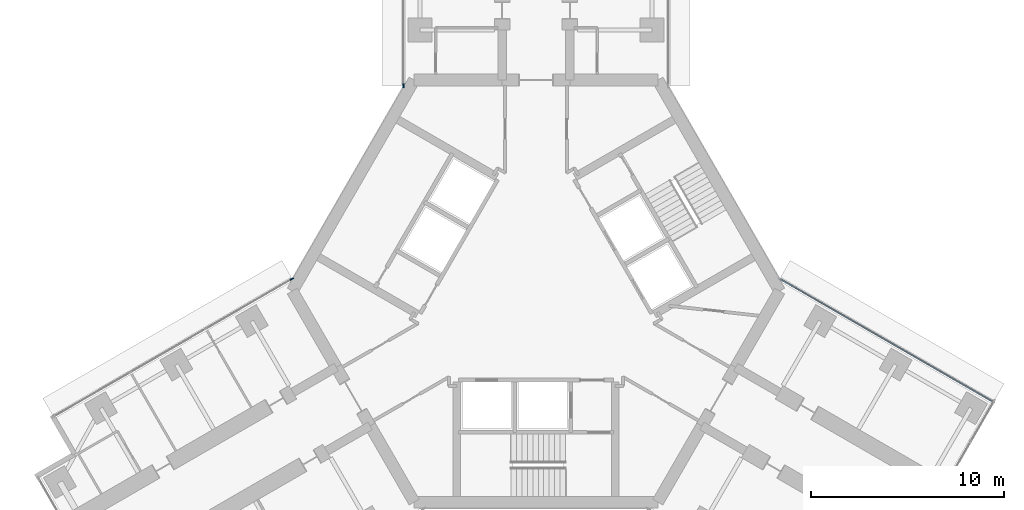
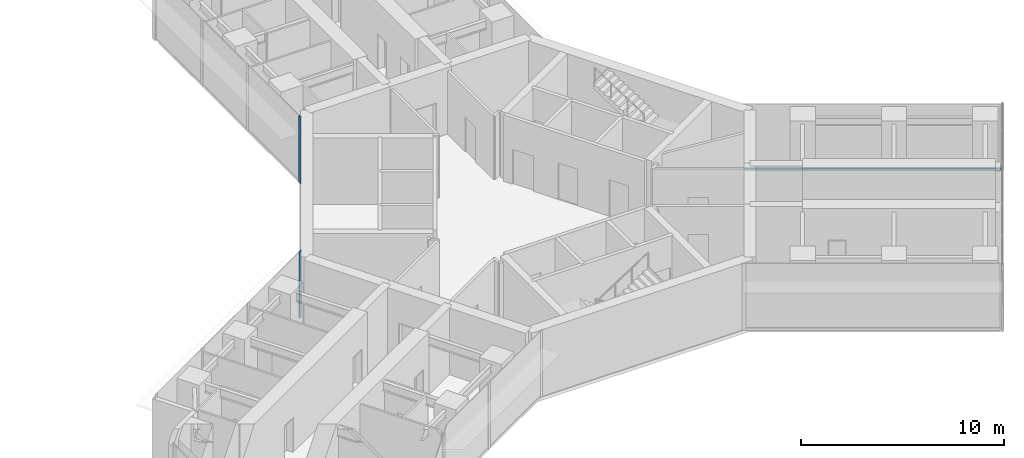
# One storey, part 9 of 23: 3 members, 3 elements without a shape of their own.
"""IFC4 building model written with IfcOpenShell, lengths in metres."""

from ifc_helpers import new_model, si_unit, direction, frame, origin, origin_2d, place, context, subcontext, project, spatial, rectangle, extrude, material, material_profile, profile_set, type_object, element, aggregate, save


model = new_model("IFC4")

# Units and contexts
model_context = context("Model", 3, precision=1e-05, world=origin(), true_north=direction((0.0, 1.0)))
body_context = subcontext(model_context, "Body", "Model", "MODEL_VIEW")
ifc_project = project(units=[si_unit("LENGTHUNIT", "METRE"), si_unit("AREAUNIT", "SQUARE_METRE"), si_unit("VOLUMEUNIT", "CUBIC_METRE"), si_unit("PLANEANGLEUNIT", "RADIAN"), si_unit("MASSUNIT", "GRAM", prefix="KILO")], contexts=[model_context])

# Site, building, storey
site_placement = place(None, origin())
site = spatial("IfcSite", under=ifc_project, at=site_placement, CompositionType="ELEMENT")
building_placement = place(site_placement, origin())
building = spatial("IfcBuilding", under=site, at=building_placement, Name="Upepo Twin Towers", CompositionType="ELEMENT")
storey_placement = place(building_placement, frame((0.0, 0.0, 145.5)))
storey = spatial("IfcBuildingStorey", under=building, at=storey_placement, Name="L35", CompositionType="ELEMENT", Elevation=145.5)

# Curtain wall, member
ifc_material_1 = material(Name="Aluminium and fritted glass", Category="aluminium")
curtain_wall_type = type_object("IfcCurtainWallType", Name="Tower curtain wall TW2, fritted glass", PredefinedType="NOTDEFINED", material=ifc_material_1)
curtain_wall_1_placement = place(storey_placement, origin())
curtain_wall_1 = element("IfcCurtainWall", 1, at=curtain_wall_1_placement, inside=storey, type_object=curtain_wall_type, Name="T2 L35 wing A flank L curtain wall", PredefinedType="NOTDEFINED")
ifc_material_2 = material(Name="Aluminium mullion", Category="aluminium")
ifc_material_profile_1 = material_profile(ifc_material_2, rectangle(XDim=0.06494140625, YDim=0.199951171875, at=origin_2d()), Name="MULLION 65x200")
ifc_profile_set_1 = profile_set([ifc_material_profile_1], Name="Aluminium mullion")
member_type_1 = type_object("IfcMemberType", Name="Mullion 65x200 TW2", PredefinedType="MULLION", material=ifc_profile_set_1)
member_1_placement = place(storey_placement, frame((51.64990234375, -7.38037109375, 0.0), z_axis=(0.0, 0.0, 1.0), x_axis=(-1.0, 0.0, 0.0)))
member_1 = element("IfcMember", 2, at=member_1_placement, type_object=member_type_1, Name="T2 L35 wing A flank L curtain wall mullion 1", PredefinedType="MULLION", context=body_context, shape_type="SweptSolid", body=[
    extrude(rectangle(XDim=0.06494140625, YDim=0.199951171875, at=origin_2d()), origin(), (0.0, 0.0, 1.0), 4.0),
])
aggregate(curtain_wall_1, [member_1])

curtain_wall_2_placement = place(storey_placement, origin())
curtain_wall_2 = element("IfcCurtainWall", 3, at=curtain_wall_2_placement, inside=storey, type_object=curtain_wall_type, Name="T2 L35 wing B flank R curtain wall", PredefinedType="NOTDEFINED")
member_2_placement = place(storey_placement, frame((45.878173828125, -17.37744140625, 0.0), z_axis=(0.0, 0.0, 1.0), x_axis=(-0.500000010308, 0.866025397833, 0.0)))
member_2 = element("IfcMember", 4, at=member_2_placement, type_object=member_type_1, Name="T2 L35 wing B flank R curtain wall mullion 4", PredefinedType="MULLION", context=body_context, shape_type="SweptSolid", body=[
    extrude(rectangle(XDim=0.06494140625, YDim=0.199951171875, at=origin_2d()), origin(), (0.0, 0.0, 1.0), 4.0),
])
aggregate(curtain_wall_2, [member_2])

curtain_wall_3_placement = place(storey_placement, origin())
curtain_wall_3 = element("IfcCurtainWall", 5, at=curtain_wall_3_placement, inside=storey, type_object=curtain_wall_type, Name="T2 L35 wing C flank L curtain wall", PredefinedType="NOTDEFINED")
ifc_material_3 = material(Name="Aluminium transom", Category="aluminium")
ifc_material_profile_2 = material_profile(ifc_material_3, rectangle(XDim=0.06494140625, YDim=0.14990234375, at=origin_2d()), Name="TRANSOM 65x150")
ifc_profile_set_2 = profile_set([ifc_material_profile_2], Name="Aluminium transom")
member_type_2 = type_object("IfcMemberType", Name="Transom 65x150 TW2", PredefinedType="USERDEFINED", material=ifc_profile_set_2)
member_3_placement = place(storey_placement, frame((71.14990234375, -17.393798828125, 0.074951171875), z_axis=(0.866027247007, -0.499996807431, 0.0), x_axis=(0.499996807431, 0.866027247007, 0.0)))
member_3 = element("IfcMember", 6, at=member_3_placement, type_object=member_type_2, Name="T2 L35 wing C flank L curtain wall transom 1", ObjectType="TRANSOM", PredefinedType="USERDEFINED", context=body_context, shape_type="SweptSolid", body=[
    extrude(rectangle(XDim=0.06494140625, YDim=0.14990234375, at=origin_2d()), origin(), (0.0, 0.0, 1.0), 12.6328125),
])
aggregate(curtain_wall_3, [member_3])

save(model, "model.ifc")
